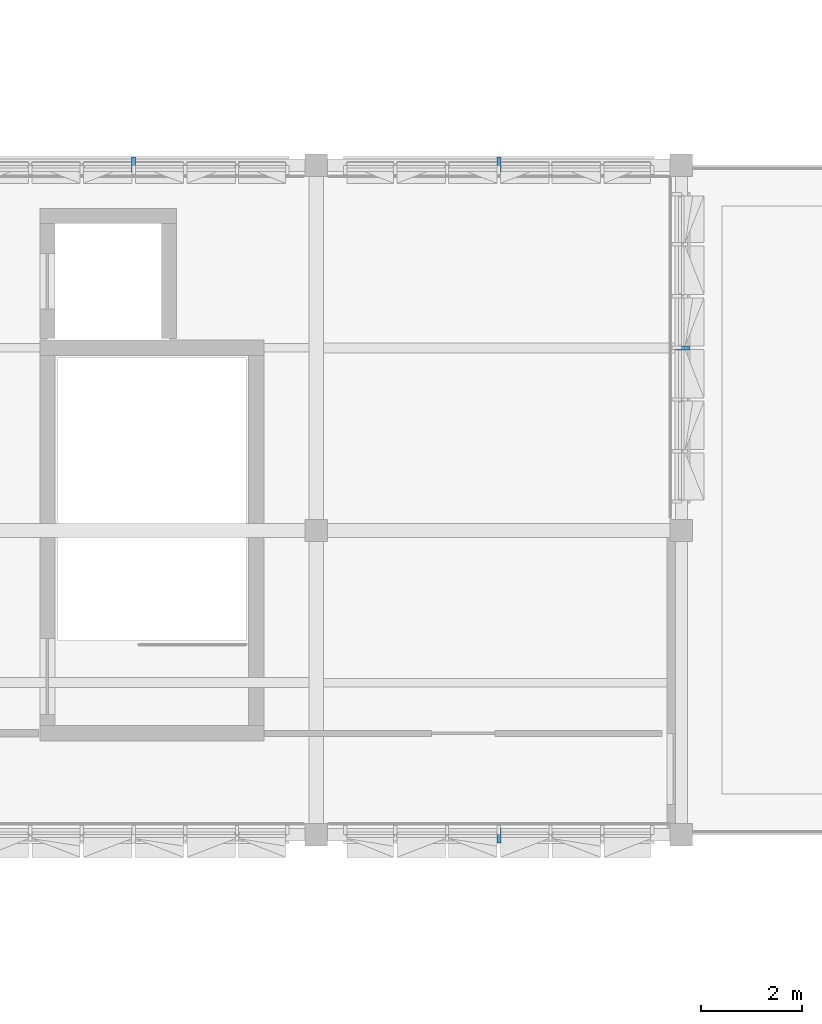
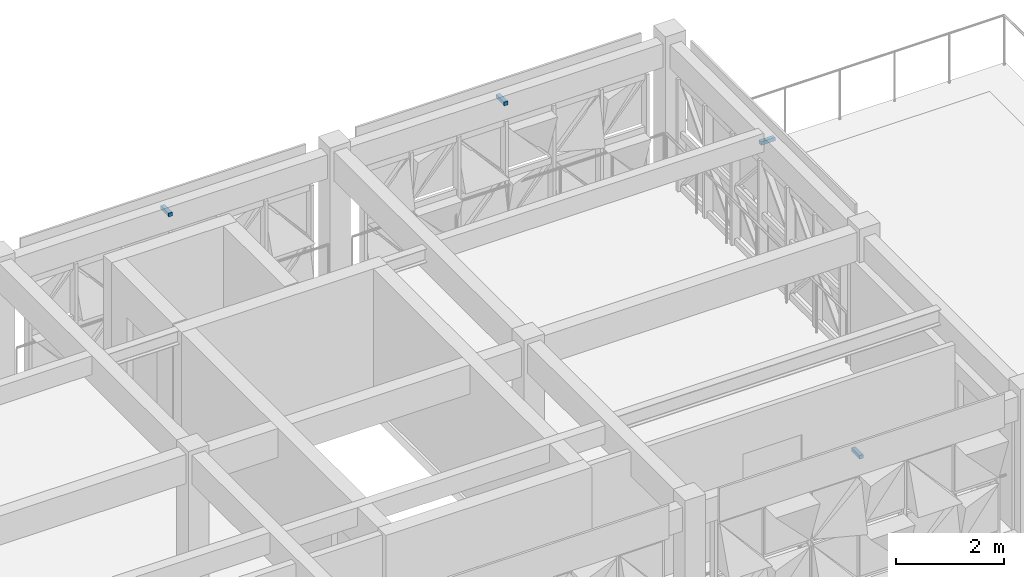
# One storey, part 27 of 35: 4 discrete accessories.
"""IFC4 building model written with IfcOpenShell, lengths in metres."""

import ifcopenshell
import ifcopenshell.guid

model = None  # the IFC model being written
_history = None  # IfcOwnerHistory: only IFC2X3 demands one
_inside = {}  # id of a spatial element -> (the spatial element, [elements in it])
_under = {}  # id of a project, library or spatial element -> (it, [spatial elements below it])
_declared = {}  # id of a project -> (the project, [libraries it declares])
_typed = {}  # id of a type object -> (the type object, [elements of that type])
_made_of = {}  # id of a material, layer set ... -> (it, [elements and type objects made of it])


def new_model(schema):
    """Start an empty IFC model of exactly this schema.

    Asked for "IFC4X3", IfcOpenShell would pick the latest addendum, in which some entities
    have other attributes; the version numbers below select the first issue.
    IFC2X3 requires an IfcOwnerHistory on every rooted entity: one is made here for all.
    """
    global model, _history
    if schema == "IFC4X3":
        model = ifcopenshell.file(schema_version=(4, 3, 0, 0))
    else:
        model = ifcopenshell.file(schema=schema)
    _inside.clear()
    _under.clear()
    _declared.clear()
    _typed.clear()
    _made_of.clear()
    _history = None
    if model.schema == "IFC2X3":
        org = make("IfcOrganization", Name="unknown")
        user = make(
            "IfcPersonAndOrganization",
            ThePerson=make("IfcPerson", FamilyName="unknown"),
            TheOrganization=org,
        )
        app = make(
            "IfcApplication",
            ApplicationDeveloper=org,
            Version="unknown",
            ApplicationFullName="unknown",
            ApplicationIdentifier="unknown",
        )
        _history = make(
            "IfcOwnerHistory",
            OwningUser=user,
            OwningApplication=app,
            ChangeAction="ADDED",
            CreationDate=0,
        )
    return model


def make(cls, **values):
    """One entity of the class cls with the attributes given. An attribute that is None is left unset."""
    return model.create_entity(
        cls, **{name: value for name, value in values.items() if value is not None}
    )


def rooted(cls, **values):
    """An entity with a GlobalId (a new one), such as an element, a storey or a relation."""
    return make(cls, GlobalId=ifcopenshell.guid.new(), OwnerHistory=_history, **values)


def si_unit(unit_type, name, prefix=None):
    """IfcSIUnit, for example si_unit("LENGTHUNIT", "METRE", prefix="MILLI")."""
    return make("IfcSIUnit", UnitType=unit_type, Prefix=prefix, Name=name)


def assignment(units):
    """IfcUnitAssignment: the units of a project."""
    return None if units is None else make("IfcUnitAssignment", Units=units)


def point(xyz):
    """IfcCartesianPoint."""
    return None if xyz is None else make("IfcCartesianPoint", Coordinates=xyz)


def direction(xyz):
    """IfcDirection."""
    return None if xyz is None else make("IfcDirection", DirectionRatios=xyz)


def frame(location, z_axis=None, x_axis=None):
    """IfcAxis2Placement3D, a coordinate frame: its origin and axes. An axis left out is left unset."""
    return make(
        "IfcAxis2Placement3D",
        Location=point(location),
        Axis=direction(z_axis),
        RefDirection=direction(x_axis),
    )


def frame_2d(location, x_axis=None):
    """IfcAxis2Placement2D, a coordinate frame in the plane: its origin and x axis."""
    return make(
        "IfcAxis2Placement2D", Location=point(location), RefDirection=direction(x_axis)
    )


def origin():
    """The frame at (0, 0, 0) with its axes left unset."""
    return frame((0.0, 0.0, 0.0))


def origin_2d():
    """The frame at (0, 0) in the plane with its x axis left unset."""
    return frame_2d((0.0, 0.0))


def place(relative_to, where):
    """IfcLocalPlacement: puts the frame where relative to a parent placement (None: the world)."""
    return make(
        "IfcLocalPlacement", PlacementRelTo=relative_to, RelativePlacement=where
    )


def context(
    kind, dimensions, precision=None, world=None, true_north=None, identifier=None
):
    """IfcGeometricRepresentationContext, for example the 3D "Model" context."""
    return make(
        "IfcGeometricRepresentationContext",
        ContextIdentifier=identifier,
        ContextType=kind,
        CoordinateSpaceDimension=dimensions,
        Precision=precision,
        WorldCoordinateSystem=world,
        TrueNorth=true_north,
    )


def subcontext(parent, identifier, kind, view, scale=None):
    """IfcGeometricRepresentationSubContext, for example "Body" below "Model"."""
    return make(
        "IfcGeometricRepresentationSubContext",
        ContextIdentifier=identifier,
        ContextType=kind,
        ParentContext=parent,
        TargetScale=scale,
        TargetView=view,
    )


def project(units=None, contexts=None):
    """IfcProject with its units and contexts."""
    return rooted(
        "IfcProject",
        Name="project",
        RepresentationContexts=contexts,
        UnitsInContext=assignment(units),
    )


def spatial(cls, under=None, at=None, **own):
    """A site, building, storey or space (cls), placed at a placement, below another one or the project."""
    s = rooted(cls, ObjectPlacement=at, **own)
    if under is not None:
        _under.setdefault(under.id(), (under, []))[1].append(s)
    return s


def profile(cls, at=None, kind="AREA", **sizes):
    """A parametric profile (cls). Its sizes go by their IFC names, for example OverallWidth=200.0."""
    return make(cls, ProfileType=kind, Position=at, **sizes)


def rectangle(**sizes):
    """IfcRectangleProfileDef."""
    return profile("IfcRectangleProfileDef", **sizes)


def extrude(swept, where, along, depth):
    """IfcExtrudedAreaSolid: the profile swept, set in the frame where, extruded along a direction by depth."""
    return make(
        "IfcExtrudedAreaSolid",
        SweptArea=swept,
        Position=where,
        ExtrudedDirection=direction(along),
        Depth=depth,
    )


def shape(context_of_items, identifier, shape_type, items):
    """IfcShapeRepresentation: the items that make up one representation, for example the "Body"."""
    return make(
        "IfcShapeRepresentation",
        ContextOfItems=context_of_items,
        RepresentationIdentifier=identifier,
        RepresentationType=shape_type,
        Items=items,
    )


def material(Name=None, Category=None):
    """IfcMaterial."""
    return make("IfcMaterial", Name=Name, Category=Category)


def made_of(thing, what):
    """Note that an element or type object is made of a material, layer set ...; save() writes the relation."""
    if what is not None:
        _made_of.setdefault(what.id(), (what, []))[1].append(thing)
    return thing


def type_object(cls, material=None, **own):
    """A type object (cls), such as IfcWallType, which elements share."""
    return made_of(rooted(cls, **own), material)


def element(
    cls,
    number,
    at=None,
    inside=None,
    cuts=None,
    type_object=None,
    material=None,
    context=None,
    identifier="Body",
    shape_type=None,
    held_by="IfcProductDefinitionShape",
    body=None,
    shapes=None,
    **own,
):
    """One element of the class cls, such as IfcWall. Its Tag is "e" and its number.

    at: its placement. inside: the storey or other place that contains it. cuts: it is an
    opening in that element (IfcRelVoidsElement). A single representation is given by context,
    identifier, shape_type and body (its items); several are given by shapes. held_by: the class
    of the entity that holds the representations. save() writes the other relations.
    """
    e = rooted(cls, Tag="e%d" % number, ObjectPlacement=at, **own)
    if body is not None:
        shapes = [shape(context, identifier, shape_type, body)]
    if shapes is not None:
        e.Representation = make(held_by, Representations=shapes)
    if inside is not None:
        _inside.setdefault(inside.id(), (inside, []))[1].append(e)
    if cuts is not None:
        rooted(
            "IfcRelVoidsElement", RelatingBuildingElement=cuts, RelatedOpeningElement=e
        )
    if type_object is not None:
        _typed.setdefault(type_object.id(), (type_object, []))[1].append(e)
    return made_of(e, material)


def aggregate(whole, parts):
    """IfcRelAggregates: a whole, such as a stair, and the parts it consists of."""
    return rooted("IfcRelAggregates", RelatingObject=whole, RelatedObjects=parts)


def save(model, path):
    """Write the relations noted so far, then the file.

    IfcRelAggregates (storeys below a building ...), IfcRelContainedInSpatialStructure (elements
    in a storey), IfcRelDefinesByType, IfcRelAssociatesMaterial and IfcRelDeclares: one each for
    every whole, place, type object, material and project.
    """
    for whole, parts in _under.values():
        aggregate(whole, parts)
    for where, things in _inside.values():
        rooted(
            "IfcRelContainedInSpatialStructure",
            RelatedElements=things,
            RelatingStructure=where,
        )
    for kind, things in _typed.values():
        rooted("IfcRelDefinesByType", RelatedObjects=things, RelatingType=kind)
    for what, things in _made_of.values():
        rooted("IfcRelAssociatesMaterial", RelatedObjects=things, RelatingMaterial=what)
    for by, libraries in _declared.values():
        rooted("IfcRelDeclares", RelatingContext=by, RelatedDefinitions=libraries)
    model.write(path)


model = new_model("IFC4")

# Units and contexts
model_context = context("Model", 3, precision=1e-05, world=origin(), true_north=direction((0.0, 1.0)))
body_context = subcontext(model_context, "Body", "Model", "MODEL_VIEW")
ifc_project = project(units=[si_unit("LENGTHUNIT", "METRE"), si_unit("AREAUNIT", "SQUARE_METRE"), si_unit("VOLUMEUNIT", "CUBIC_METRE"), si_unit("PLANEANGLEUNIT", "RADIAN"), si_unit("MASSUNIT", "GRAM", prefix="KILO")], contexts=[model_context])

# Site, building, storey
site_placement = place(None, origin())
site = spatial("IfcSite", under=ifc_project, at=site_placement, CompositionType="ELEMENT")
building_placement = place(site_placement, origin())
building = spatial("IfcBuilding", under=site, at=building_placement, Name="Alvorim Cloister Faculty of Sciences", CompositionType="ELEMENT")
storey_placement = place(building_placement, frame((0.0, 0.0, 22.949951171875)))
storey = spatial("IfcBuildingStorey", under=building, at=storey_placement, Name="L06", CompositionType="ELEMENT", Elevation=22.949951171875)

# Discrete accessories
ifc_material = material(Name="Aluminium Alloy 6063-T6", Category="aluminium")
discrete_accessory_type = type_object("IfcDiscreteAccessoryType", Name="ACC-DIAG-BAR", PredefinedType="BRACKET", material=ifc_material)
for number, where, z_axis, x_axis, name in (
    (1, (39.60009765625, 56.260009765625, 2.925048828125), (0.0, 1.0, 0.0), (-1.0, 0.0, 0.0), "Slab-Edge Fascia Tie Bracket ACC-02743"),
    (2, (46.800048828125, 56.260009765625, 2.925048828125), (0.0, 1.0, 0.0), (-1.0, 0.0, 0.0), "Slab-Edge Fascia Tie Bracket ACC-02756"),
    (3, (50.260009765625, 52.800048828125, 2.925048828125), (1.0, 0.0, 0.0), (0.0, 1.0, 0.0), "Slab-Edge Fascia Tie Bracket ACC-02769"),
    (4, (46.800048828125, 43.340087890625, 2.925048828125), (0.0, -1.0, 0.0), (1.0, 0.0, 0.0), "Slab-Edge Fascia Tie Bracket ACC-02782"),
):
    element("IfcDiscreteAccessory", number, at=place(storey_placement, frame(where, z_axis=z_axis, x_axis=x_axis)), inside=storey, type_object=discrete_accessory_type, Name=name, PredefinedType="BRACKET", context=body_context, shape_type="SweptSolid", body=[
        extrude(rectangle(XDim=0.080078125, YDim=0.080078125, at=origin_2d()), origin(), (0.0, 0.0, 1.0), 0.300048828125),
    ])

save(model, "model.ifc")
